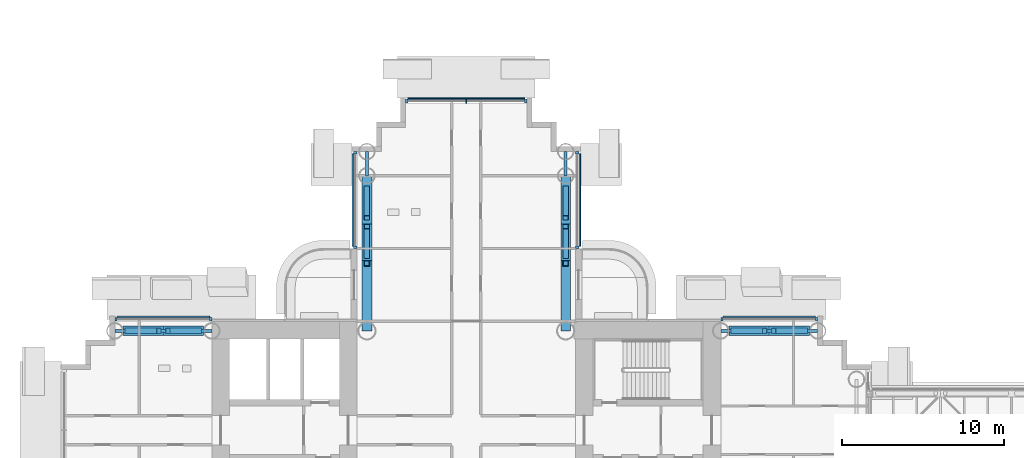
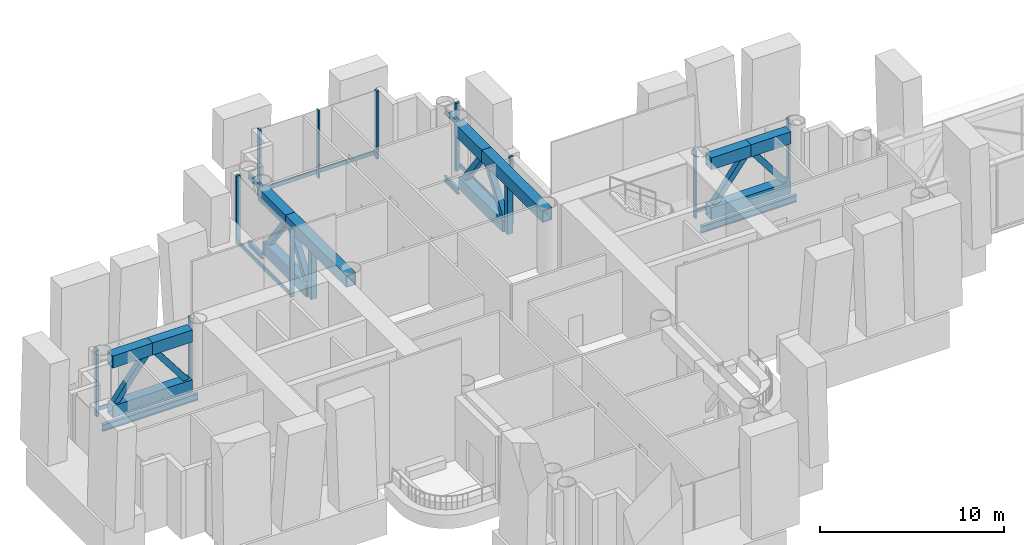
# One storey, part 5 of 27: 34 members, 10 beams, 5 elements without a shape of their own.
"""IFC4 building model written with IfcOpenShell, lengths in metres."""

from ifc_helpers import new_model, si_unit, direction, frame, origin, origin_2d, place, context, subcontext, project, spatial, rectangle, hollow_rectangle, i_section, extrude, material, layer, layer_set, material_profile, profile_set, type_object, element, aggregate, save


model = new_model("IFC4")

# Units and contexts
model_context = context("Model", 3, precision=1e-05, world=origin(), true_north=direction((0.0, 1.0)))
body_context = subcontext(model_context, "Body", "Model", "MODEL_VIEW")
ifc_project = project(units=[si_unit("LENGTHUNIT", "METRE"), si_unit("AREAUNIT", "SQUARE_METRE"), si_unit("VOLUMEUNIT", "CUBIC_METRE"), si_unit("PLANEANGLEUNIT", "RADIAN"), si_unit("MASSUNIT", "GRAM", prefix="KILO")], contexts=[model_context])

# Site, building, storey
site_placement = place(None, origin())
site = spatial("IfcSite", under=ifc_project, at=site_placement, CompositionType="ELEMENT")
building_placement = place(site_placement, origin())
building = spatial("IfcBuilding", under=site, at=building_placement, Name="Ipe Terrace Towers", CompositionType="ELEMENT")
storey_placement = place(building_placement, frame((0.0, 0.0, 72.10009765625)))
storey = spatial("IfcBuildingStorey", under=building, at=storey_placement, Name="L19", CompositionType="ELEMENT", Elevation=72.10009765625)

# Beams
ifc_material_1 = material(Name="Steel S355", Category="steel")
ifc_material_profile_1 = material_profile(ifc_material_1, i_section(OverallWidth=0.175048828125, OverallDepth=0.35009765625, WebThickness=0.007080078125, FlangeThickness=0.010986328125, at=origin_2d()), Name="H-350x175x7x11")
ifc_profile_set_1 = profile_set([ifc_material_profile_1], Name="Steel S355")
beam_type_1 = type_object("IfcBeamType", Name="H04 DECK EDGE BEAM H-350x175x7x11", PredefinedType="BEAM", material=ifc_profile_set_1)
for number, where, z_axis, x_axis, name in (
    (1, (-29.85009765625, 15.75, 3.90478515625), (0.0, 1.0, 0.0), (-1.0, 0.0, 0.0), "Deck edge beam T1-TB-B03-B05"),
    (2, (-42.14990234375, 15.75, 3.90478515625), (0.0, 1.0, 0.0), (-1.0, 0.0, 0.0), "Deck edge beam T1-TB-B04-B06"),
):
    element("IfcBeam", number, at=place(storey_placement, frame(where, z_axis=z_axis, x_axis=x_axis)), inside=storey, type_object=beam_type_1, Name=name, PredefinedType="BEAM", context=body_context, shape_type="SweptSolid", body=[
        extrude(i_section(OverallWidth=0.175048828125, OverallDepth=0.35009765625, WebThickness=0.007080078125, FlangeThickness=0.010986328125, at=origin_2d()), origin(), (0.0, 0.0, 1.0), 1.5),
    ])
ifc_material_2 = material(Name="Steel S355", Category="steel")
ifc_material_profile_2 = material_profile(ifc_material_2, i_section(OverallWidth=0.175048828125, OverallDepth=0.35009765625, WebThickness=0.007080078125, FlangeThickness=0.010986328125, at=origin_2d()), Name="H-350x175x7x11")
ifc_profile_set_2 = profile_set([ifc_material_profile_2], Name="Steel S355")
beam_type_2 = type_object("IfcBeamType", Name="H04 EDGE BEAM H-350x175x7x11", PredefinedType="BEAM", material=ifc_profile_set_2)
for number, where, z_axis, x_axis, name in (
    (3, (-29.85009765625, 15.75, -0.5751953125), (0.0, 1.0, 0.0), (-1.0, 0.0, 0.0), "Edge beam T1-EB-B03-B05"),
    (4, (-42.14990234375, 15.75, -0.5751953125), (0.0, 1.0, 0.0), (-1.0, 0.0, 0.0), "Edge beam T1-EB-B04-B06"),
):
    element("IfcBeam", number, at=place(storey_placement, frame(where, z_axis=z_axis, x_axis=x_axis)), inside=storey, type_object=beam_type_2, Name=name, PredefinedType="BEAM", context=body_context, shape_type="SweptSolid", body=[
        extrude(i_section(OverallWidth=0.175048828125, OverallDepth=0.35009765625, WebThickness=0.007080078125, FlangeThickness=0.010986328125, at=origin_2d()), origin(), (0.0, 0.0, 1.0), 1.5),
    ])
ifc_material_3 = material(Name="Steel S355", Category="steel")
ifc_material_profile_3 = material_profile(ifc_material_3, i_section(OverallWidth=0.199951171875, OverallDepth=0.449951171875, WebThickness=0.009033203125, FlangeThickness=0.013916015625, at=origin_2d()), Name="H-450x200x9x14")
ifc_profile_set_3 = profile_set([ifc_material_profile_3], Name="Steel S355")
beam_type_3 = type_object("IfcBeamType", Name="H08 EDGE BEAM H-450x200x9x14", PredefinedType="BEAM", material=ifc_profile_set_3)
for number, where, z_axis, x_axis, name in (
    (5, (-20.25, 6.14990234375, -0.625), (1.0, 0.0, 0.0), (0.0, 1.0, 0.0), "Edge beam T1-EB-A02-A04"),
    (6, (-51.75, 6.14990234375, -0.625), (-1.0, 0.0, 0.0), (0.0, -1.0, 0.0), "Edge beam T1-EB-C02-C04"),
):
    element("IfcBeam", number, at=place(storey_placement, frame(where, z_axis=z_axis, x_axis=x_axis)), inside=storey, type_object=beam_type_3, Name=name, PredefinedType="BEAM", context=body_context, shape_type="SweptSolid", body=[
        extrude(i_section(OverallWidth=0.199951171875, OverallDepth=0.449951171875, WebThickness=0.009033203125, FlangeThickness=0.013916015625, at=origin_2d()), origin(), (0.0, 0.0, 1.0), 6.0),
    ])

# Members
ifc_material_4 = material(Name="Steel S355", Category="steel")
ifc_material_profile_4 = material_profile(ifc_material_4, hollow_rectangle(XDim=0.35009765625, YDim=0.35009765625, WallThickness=0.02001953125, at=origin_2d()), Name="OUTRIGGER-BRACE BOX 350x350x20")
ifc_profile_set_4 = profile_set([ifc_material_profile_4], Name="Steel S355")
member_type_1 = type_object("IfcMemberType", Name="OUTRIGGER-BRACE BOX 350x350x20", PredefinedType="BRACE", material=ifc_profile_set_4)
for number, where, z_axis, x_axis, name in (
    (7, (-19.471923828125, 6.14990234375, 0.77978515625), (0.60773905456, 0.0, 0.794136790209), (0.0, 1.0, 0.0), "T1-OR-L19-062 diagonal"),
    (8, (-15.028076171875, 6.14990234375, 0.77978515625), (-0.60773905456, 0.0, 0.794136790209), (0.0, -1.0, 0.0), "T1-OR-L19-063 diagonal"),
    (9, (-52.528076171875, 6.14990234375, 0.77978515625), (-0.60773905456, 0.0, 0.794136790209), (0.0, -1.0, 0.0), "T1-OR-L19-077 diagonal"),
    (10, (-56.971923828125, 6.14990234375, 0.77978515625), (0.60773905456, 0.0, 0.794136790209), (0.0, 1.0, 0.0), "T1-OR-L19-078 diagonal"),
):
    element("IfcMember", number, at=place(storey_placement, frame(where, z_axis=z_axis, x_axis=x_axis)), inside=storey, type_object=member_type_1, Name=name, PredefinedType="BRACE", context=body_context, shape_type="SweptSolid", body=[
        extrude(hollow_rectangle(XDim=0.35009765625, YDim=0.35009765625, WallThickness=0.02001953125, at=origin_2d()), origin(), (0.0, 0.0, 1.0), 3.198486328125),
    ])
for number, where, z_axis, x_axis, name in (
    (11, (-42.14990234375, 10.77294921875, 0.77978515625), (0.0, 0.58436225727, 0.811492915729), (-1.0, 0.0, 0.0), "T1-OR-L19-082 diagonal"),
    (12, (-42.14990234375, 14.97705078125, 0.77978515625), (0.0, -0.58436225727, 0.811492915729), (1.0, 0.0, 0.0), "T1-OR-L19-083 diagonal"),
    (13, (-29.85009765625, 10.77294921875, 0.77978515625), (0.0, 0.58436225727, 0.811492915729), (-1.0, 0.0, 0.0), "T1-OR-L19-086 diagonal"),
    (14, (-29.85009765625, 14.97705078125, 0.77978515625), (0.0, -0.58436225727, 0.811492915729), (1.0, 0.0, 0.0), "T1-OR-L19-087 diagonal"),
):
    element("IfcMember", number, at=place(storey_placement, frame(where, z_axis=z_axis, x_axis=x_axis)), inside=storey, type_object=member_type_1, Name=name, PredefinedType="BRACE", context=body_context, shape_type="SweptSolid", body=[
        extrude(hollow_rectangle(XDim=0.35009765625, YDim=0.35009765625, WallThickness=0.02001953125, at=origin_2d()), origin(), (0.0, 0.0, 1.0), 3.130126953125),
    ])
ifc_material_5 = material(Name="Steel S355", Category="steel")
ifc_material_profile_5 = material_profile(ifc_material_5, hollow_rectangle(XDim=0.60009765625, YDim=0.800048828125, WallThickness=0.0400390625, at=origin_2d()), Name="OUTRIGGER-CHORD BOX 600x800x40")
ifc_profile_set_5 = profile_set([ifc_material_profile_5], Name="Steel S355")
member_type_2 = type_object("IfcMemberType", Name="OUTRIGGER-CHORD BOX 600x800x40", PredefinedType="CHORD", material=ifc_profile_set_5)
member_1_placement = place(storey_placement, frame((-19.75, 6.14990234375, 0.39990234375), z_axis=(1.0, 0.0, 0.0), x_axis=(0.0, 1.0, 0.0)))
element("IfcMember", 15, at=member_1_placement, inside=storey, type_object=member_type_2, Name="T1-OR-L19-061 bottom chord", PredefinedType="CHORD", context=body_context, shape_type="SweptSolid", body=[
    extrude(hollow_rectangle(XDim=0.60009765625, YDim=0.800048828125, WallThickness=0.0400390625, at=origin_2d()), origin(), (0.0, 0.0, 1.0), 5.0),
])
for number, where, z_axis, x_axis, name in (
    (16, (-19.75, 6.14990234375, 3.699951171875), (1.0, 0.0, 0.0), (0.0, 1.0, 0.0), "T1-OR-L19-064 top chord"),
    (17, (-17.25, 6.14990234375, 3.699951171875), (1.0, 0.0, 0.0), (0.0, 1.0, 0.0), "T1-OR-L19-065 top chord"),
):
    element("IfcMember", number, at=place(storey_placement, frame(where, z_axis=z_axis, x_axis=x_axis)), inside=storey, type_object=member_type_2, Name=name, PredefinedType="CHORD", context=body_context, shape_type="SweptSolid", body=[
        extrude(hollow_rectangle(XDim=0.60009765625, YDim=0.800048828125, WallThickness=0.0400390625, at=origin_2d()), origin(), (0.0, 0.0, 1.0), 2.5),
    ])
member_2_placement = place(storey_placement, frame((-52.25, 6.14990234375, 0.39990234375), z_axis=(-1.0, 0.0, 0.0), x_axis=(0.0, -1.0, 0.0)))
element("IfcMember", 18, at=member_2_placement, inside=storey, type_object=member_type_2, Name="T1-OR-L19-076 bottom chord", PredefinedType="CHORD", context=body_context, shape_type="SweptSolid", body=[
    extrude(hollow_rectangle(XDim=0.60009765625, YDim=0.800048828125, WallThickness=0.0400390625, at=origin_2d()), origin(), (0.0, 0.0, 1.0), 5.0),
])
for number, where, z_axis, x_axis, name in (
    (19, (-52.25, 6.14990234375, 3.699951171875), (-1.0, 0.0, 0.0), (0.0, -1.0, 0.0), "T1-OR-L19-079 top chord"),
    (20, (-54.75, 6.14990234375, 3.699951171875), (-1.0, 0.0, 0.0), (0.0, -1.0, 0.0), "T1-OR-L19-080 top chord"),
):
    element("IfcMember", number, at=place(storey_placement, frame(where, z_axis=z_axis, x_axis=x_axis)), inside=storey, type_object=member_type_2, Name=name, PredefinedType="CHORD", context=body_context, shape_type="SweptSolid", body=[
        extrude(hollow_rectangle(XDim=0.60009765625, YDim=0.800048828125, WallThickness=0.0400390625, at=origin_2d()), origin(), (0.0, 0.0, 1.0), 2.5),
    ])
for number, where, z_axis, x_axis, name in (
    (21, (-42.14990234375, 10.5, 0.39990234375), (0.0, 1.0, 0.0), (-1.0, 0.0, 0.0), "T1-OR-L19-081 bottom chord"),
    (22, (-29.85009765625, 10.5, 0.39990234375), (0.0, 1.0, 0.0), (-1.0, 0.0, 0.0), "T1-OR-L19-085 bottom chord"),
):
    element("IfcMember", number, at=place(storey_placement, frame(where, z_axis=z_axis, x_axis=x_axis)), inside=storey, type_object=member_type_2, Name=name, PredefinedType="CHORD", context=body_context, shape_type="SweptSolid", body=[
        extrude(hollow_rectangle(XDim=0.60009765625, YDim=0.800048828125, WallThickness=0.0400390625, at=origin_2d()), origin(), (0.0, 0.0, 1.0), 4.75),
    ])
ifc_material_6 = material(Name="Steel S355", Category="steel")
ifc_material_profile_6 = material_profile(ifc_material_6, hollow_rectangle(XDim=0.35009765625, YDim=0.35009765625, WallThickness=0.02001953125, at=origin_2d()), Name="OUTRIGGER-POST BOX 350x350x20")
ifc_profile_set_6 = profile_set([ifc_material_profile_6], Name="Steel S355")
member_type_3 = type_object("IfcMemberType", Name="OUTRIGGER-POST BOX 350x350x20", PredefinedType="POST", material=ifc_profile_set_6)
for number, where, z_axis, x_axis, name in (
    (23, (-42.14990234375, 10.324951171875, 0.0), (0.0, 0.0, 1.0), (1.0, 0.0, 0.0), "T1-OR-L19-084 post"),
    (24, (-29.85009765625, 10.324951171875, 0.0), (0.0, 0.0, 1.0), (1.0, 0.0, 0.0), "T1-OR-L19-088 post"),
):
    element("IfcMember", number, at=place(storey_placement, frame(where, z_axis=z_axis, x_axis=x_axis)), inside=storey, type_object=member_type_3, Name=name, PredefinedType="POST", context=body_context, shape_type="SweptSolid", body=[
        extrude(hollow_rectangle(XDim=0.35009765625, YDim=0.35009765625, WallThickness=0.02001953125, at=origin_2d()), origin(), (0.0, 0.0, 1.0), 3.2998046875),
    ])

# Curtain wall, members
ifc_material_7 = material(Name="Aluminium alloy 6063-T6", Category="aluminium")
ifc_layer = layer(ifc_material_7, 0.320068359375)
ifc_layer_set = layer_set([ifc_layer], Name="REFUGE FLOOR CURTAIN WALL")
curtain_wall_type = type_object("IfcCurtainWallType", Name="REFUGE FLOOR CURTAIN WALL", PredefinedType="NOTDEFINED", material=ifc_layer_set)
curtain_wall_1_placement = place(storey_placement, origin())
curtain_wall_1 = element("IfcCurtainWall", 25, at=curtain_wall_1_placement, inside=storey, type_object=curtain_wall_type, Name="T1-CW-L19-30a curtain wall", PredefinedType="NOTDEFINED")
ifc_material_8 = material(Name="Aluminium alloy 6063-T6", Category="aluminium")
ifc_material_profile_7 = material_profile(ifc_material_8, rectangle(XDim=0.239990234375, YDim=0.139892578125, at=origin_2d()), Name="REFUGE FLOOR CORNER MULLION 240 x 140")
ifc_profile_set_7 = profile_set([ifc_material_profile_7], Name="Aluminium alloy 6063-T6")
member_type_4 = type_object("IfcMemberType", Name="REFUGE FLOOR CORNER MULLION 240 x 140", PredefinedType="MULLION", material=ifc_profile_set_7)
member_3_placement = place(storey_placement, frame((-14.320068359375, 6.8701171875, -0.300048828125), z_axis=(0.0, 0.0, 1.0), x_axis=(0.0, 1.0, 0.0)))
member_3 = element("IfcMember", 26, at=member_3_placement, type_object=member_type_4, Name="T1-CW-L19-30a mullion 1", PredefinedType="MULLION", context=body_context, shape_type="SweptSolid", body=[
    extrude(rectangle(XDim=0.239990234375, YDim=0.139892578125, at=origin_2d()), origin(), (0.0, 0.0, 1.0), 4.5),
])
member_4_placement = place(storey_placement, frame((-20.178955078125, 6.8701171875, -0.300048828125), z_axis=(0.0, 0.0, 1.0), x_axis=(0.0, 1.0, 0.0)))
member_4 = element("IfcMember", 27, at=member_4_placement, type_object=member_type_4, Name="T1-CW-L19-30a mullion 2", PredefinedType="MULLION", context=body_context, shape_type="SweptSolid", body=[
    extrude(rectangle(XDim=0.239990234375, YDim=0.139892578125, at=origin_2d()), origin(), (0.0, 0.0, 1.0), 4.5),
])

curtain_wall_2_placement = place(storey_placement, origin())
curtain_wall_2 = element("IfcCurtainWall", 28, at=curtain_wall_2_placement, inside=storey, type_object=curtain_wall_type, Name="T1-CW-L19-33a curtain wall", PredefinedType="NOTDEFINED")
member_5_placement = place(storey_placement, frame((-29.1298828125, 11.320068359375, -0.300048828125), z_axis=(0.0, 0.0, 1.0), x_axis=(1.0, 0.0, 0.0)))
member_5 = element("IfcMember", 29, at=member_5_placement, type_object=member_type_4, Name="T1-CW-L19-33a mullion 1", PredefinedType="MULLION", context=body_context, shape_type="SweptSolid", body=[
    extrude(rectangle(XDim=0.239990234375, YDim=0.139892578125, at=origin_2d()), origin(), (0.0, 0.0, 1.0), 4.5),
])
member_6_placement = place(storey_placement, frame((-29.1298828125, 17.179931640625, -0.300048828125), z_axis=(0.0, 0.0, 1.0), x_axis=(1.0, 0.0, 0.0)))
member_6 = element("IfcMember", 30, at=member_6_placement, type_object=member_type_4, Name="T1-CW-L19-33a mullion 2", PredefinedType="MULLION", context=body_context, shape_type="SweptSolid", body=[
    extrude(rectangle(XDim=0.239990234375, YDim=0.139892578125, at=origin_2d()), origin(), (0.0, 0.0, 1.0), 4.5),
])

curtain_wall_3_placement = place(storey_placement, origin())
curtain_wall_3 = element("IfcCurtainWall", 31, at=curtain_wall_3_placement, inside=storey, type_object=curtain_wall_type, Name="T1-CW-L19-38a curtain wall", PredefinedType="NOTDEFINED")
member_7_placement = place(storey_placement, frame((-32.320068359375, 20.3701171875, -0.300048828125), z_axis=(0.0, 0.0, 1.0), x_axis=(0.0, 1.0, 0.0)))
member_7 = element("IfcMember", 32, at=member_7_placement, type_object=member_type_4, Name="T1-CW-L19-38a mullion 1", PredefinedType="MULLION", context=body_context, shape_type="SweptSolid", body=[
    extrude(rectangle(XDim=0.239990234375, YDim=0.139892578125, at=origin_2d()), origin(), (0.0, 0.0, 1.0), 4.5),
])
member_8_placement = place(storey_placement, frame((-39.679931640625, 20.3701171875, -0.300048828125), z_axis=(0.0, 0.0, 1.0), x_axis=(0.0, 1.0, 0.0)))
member_8 = element("IfcMember", 33, at=member_8_placement, type_object=member_type_4, Name="T1-CW-L19-38a mullion 3", PredefinedType="MULLION", context=body_context, shape_type="SweptSolid", body=[
    extrude(rectangle(XDim=0.239990234375, YDim=0.139892578125, at=origin_2d()), origin(), (0.0, 0.0, 1.0), 4.5),
])

curtain_wall_4_placement = place(storey_placement, origin())
curtain_wall_4 = element("IfcCurtainWall", 34, at=curtain_wall_4_placement, inside=storey, type_object=curtain_wall_type, Name="T1-CW-L19-43a curtain wall", PredefinedType="NOTDEFINED")
member_9_placement = place(storey_placement, frame((-42.8701171875, 17.179931640625, -0.300048828125), z_axis=(0.0, 0.0, 1.0), x_axis=(-1.0, 0.0, 0.0)))
member_9 = element("IfcMember", 35, at=member_9_placement, type_object=member_type_4, Name="T1-CW-L19-43a mullion 1", PredefinedType="MULLION", context=body_context, shape_type="SweptSolid", body=[
    extrude(rectangle(XDim=0.239990234375, YDim=0.139892578125, at=origin_2d()), origin(), (0.0, 0.0, 1.0), 4.5),
])
member_10_placement = place(storey_placement, frame((-42.8701171875, 11.320068359375, -0.300048828125), z_axis=(0.0, 0.0, 1.0), x_axis=(-1.0, 0.0, 0.0)))
member_10 = element("IfcMember", 36, at=member_10_placement, type_object=member_type_4, Name="T1-CW-L19-43a mullion 2", PredefinedType="MULLION", context=body_context, shape_type="SweptSolid", body=[
    extrude(rectangle(XDim=0.239990234375, YDim=0.139892578125, at=origin_2d()), origin(), (0.0, 0.0, 1.0), 4.5),
])

curtain_wall_5_placement = place(storey_placement, origin())
curtain_wall_5 = element("IfcCurtainWall", 37, at=curtain_wall_5_placement, inside=storey, type_object=curtain_wall_type, Name="T1-CW-L19-46b curtain wall", PredefinedType="NOTDEFINED")
member_11_placement = place(storey_placement, frame((-51.821044921875, 6.8701171875, -0.300048828125), z_axis=(0.0, 0.0, 1.0), x_axis=(0.0, 1.0, 0.0)))
member_11 = element("IfcMember", 38, at=member_11_placement, type_object=member_type_4, Name="T1-CW-L19-46b mullion 1", PredefinedType="MULLION", context=body_context, shape_type="SweptSolid", body=[
    extrude(rectangle(XDim=0.239990234375, YDim=0.139892578125, at=origin_2d()), origin(), (0.0, 0.0, 1.0), 4.5),
])
member_12_placement = place(storey_placement, frame((-57.679931640625, 6.8701171875, -0.300048828125), z_axis=(0.0, 0.0, 1.0), x_axis=(0.0, 1.0, 0.0)))
member_12 = element("IfcMember", 39, at=member_12_placement, type_object=member_type_4, Name="T1-CW-L19-46b mullion 2", PredefinedType="MULLION", context=body_context, shape_type="SweptSolid", body=[
    extrude(rectangle(XDim=0.239990234375, YDim=0.139892578125, at=origin_2d()), origin(), (0.0, 0.0, 1.0), 4.5),
])

# Member
ifc_material_9 = material(Name="Aluminium alloy 6063-T6", Category="aluminium")
ifc_material_profile_8 = material_profile(ifc_material_9, rectangle(XDim=0.239990234375, YDim=0.074951171875, at=origin_2d()), Name="REFUGE FLOOR MULLION 240 x 75")
ifc_profile_set_8 = profile_set([ifc_material_profile_8], Name="Aluminium alloy 6063-T6")
member_type_5 = type_object("IfcMemberType", Name="REFUGE FLOOR MULLION 240 x 75", PredefinedType="MULLION", material=ifc_profile_set_8)
member_13_placement = place(storey_placement, frame((-36.0, 20.3701171875, -0.300048828125), z_axis=(0.0, 0.0, 1.0), x_axis=(0.0, 1.0, 0.0)))
member_13 = element("IfcMember", 40, at=member_13_placement, type_object=member_type_5, Name="T1-CW-L19-38a mullion 2", PredefinedType="MULLION", context=body_context, shape_type="SweptSolid", body=[
    extrude(rectangle(XDim=0.239990234375, YDim=0.074951171875, at=origin_2d()), origin(), (0.0, 0.0, 1.0), 4.5),
])

ifc_material_10 = material(Name="Aluminium alloy 6063-T6", Category="aluminium")
ifc_material_profile_9 = material_profile(ifc_material_10, rectangle(XDim=0.080078125, YDim=0.260009765625, at=origin_2d()), Name="REFUGE FLOOR TRANSOM 80 x 260")
ifc_profile_set_9 = profile_set([ifc_material_profile_9], Name="Aluminium alloy 6063-T6")
member_type_6 = type_object("IfcMemberType", Name="REFUGE FLOOR TRANSOM 80 x 260", PredefinedType="USERDEFINED", material=ifc_profile_set_9)
member_14_placement = place(storey_placement, frame((-14.389892578125, 7.030029296875, 0.0), z_axis=(-1.0, 0.0, 0.0), x_axis=(0.0, 1.0, 0.0)))
member_14 = element("IfcMember", 41, at=member_14_placement, type_object=member_type_6, Name="T1-CW-L19-30a transom", ObjectType="TRANSOM", PredefinedType="USERDEFINED", context=body_context, shape_type="SweptSolid", body=[
    extrude(rectangle(XDim=0.080078125, YDim=0.260009765625, at=origin_2d()), origin(), (0.0, 0.0, 1.0), 5.718994140625),
])

aggregate(curtain_wall_1, [member_3, member_4, member_14])

member_15_placement = place(storey_placement, frame((-28.969970703125, 11.389892578125, 0.0), z_axis=(0.0, 1.0, 0.0), x_axis=(1.0, 0.0, 0.0)))
member_15 = element("IfcMember", 42, at=member_15_placement, type_object=member_type_6, Name="T1-CW-L19-33a transom", ObjectType="TRANSOM", PredefinedType="USERDEFINED", context=body_context, shape_type="SweptSolid", body=[
    extrude(rectangle(XDim=0.080078125, YDim=0.260009765625, at=origin_2d()), origin(), (0.0, 0.0, 1.0), 5.72021484375),
])

aggregate(curtain_wall_2, [member_5, member_6, member_15])

member_16_placement = place(storey_placement, frame((-32.389892578125, 20.530029296875, 0.0), z_axis=(-1.0, 0.0, 0.0), x_axis=(0.0, 1.0, 0.0)))
member_16 = element("IfcMember", 43, at=member_16_placement, type_object=member_type_6, Name="T1-CW-L19-38a transom", ObjectType="TRANSOM", PredefinedType="USERDEFINED", context=body_context, shape_type="SweptSolid", body=[
    extrude(rectangle(XDim=0.080078125, YDim=0.260009765625, at=origin_2d()), origin(), (0.0, 0.0, 1.0), 7.22021484375),
])

aggregate(curtain_wall_3, [member_7, member_13, member_8, member_16])

member_17_placement = place(storey_placement, frame((-43.030029296875, 17.110107421875, 0.0), z_axis=(0.0, -1.0, 0.0), x_axis=(-1.0, 0.0, 0.0)))
member_17 = element("IfcMember", 44, at=member_17_placement, type_object=member_type_6, Name="T1-CW-L19-43a transom", ObjectType="TRANSOM", PredefinedType="USERDEFINED", context=body_context, shape_type="SweptSolid", body=[
    extrude(rectangle(XDim=0.080078125, YDim=0.260009765625, at=origin_2d()), origin(), (0.0, 0.0, 1.0), 5.72021484375),
])

aggregate(curtain_wall_4, [member_9, member_10, member_17])

member_18_placement = place(storey_placement, frame((-51.89111328125, 7.030029296875, 0.0), z_axis=(-1.0, 0.0, 0.0), x_axis=(0.0, 1.0, 0.0)))
member_18 = element("IfcMember", 45, at=member_18_placement, type_object=member_type_6, Name="T1-CW-L19-46b transom", ObjectType="TRANSOM", PredefinedType="USERDEFINED", context=body_context, shape_type="SweptSolid", body=[
    extrude(rectangle(XDim=0.080078125, YDim=0.260009765625, at=origin_2d()), origin(), (0.0, 0.0, 1.0), 5.718994140625),
])

aggregate(curtain_wall_5, [member_11, member_12, member_18])

# Beams
ifc_material_11 = material(Name="Steel S355", Category="steel")
ifc_material_profile_10 = material_profile(ifc_material_11, hollow_rectangle(XDim=0.60009765625, YDim=0.800048828125, WallThickness=0.0400390625, at=origin_2d()), Name="BOX-800x600x40")
ifc_profile_set_10 = profile_set([ifc_material_profile_10], Name="Steel S355")
beam_type_4 = type_object("IfcBeamType", Name="TG1 TRANSFER GIRDER BOX-800x600x40", PredefinedType="BEAM", material=ifc_profile_set_10)
beam_1_placement = place(storey_placement, frame((-29.85009765625, 6.14990234375, 3.679931640625), z_axis=(0.0, 1.0, 0.0), x_axis=(-1.0, 0.0, 0.0)))
element("IfcBeam", 46, at=beam_1_placement, inside=storey, type_object=beam_type_4, Name="Transfer girder T1-TG-B01-E03", PredefinedType="BEAM", context=body_context, shape_type="SweptSolid", body=[
    extrude(hollow_rectangle(XDim=0.60009765625, YDim=0.800048828125, WallThickness=0.0400390625, at=origin_2d()), origin(), (0.0, 0.0, 1.0), 6.60009765625),
])
beam_2_placement = place(storey_placement, frame((-29.85009765625, 12.75, 3.679931640625), z_axis=(0.0, 1.0, 0.0), x_axis=(-1.0, 0.0, 0.0)))
element("IfcBeam", 47, at=beam_2_placement, inside=storey, type_object=beam_type_4, Name="Transfer girder T1-TG-B01-B03", PredefinedType="BEAM", context=body_context, shape_type="SweptSolid", body=[
    extrude(hollow_rectangle(XDim=0.60009765625, YDim=0.800048828125, WallThickness=0.0400390625, at=origin_2d()), origin(), (0.0, 0.0, 1.0), 3.0),
])
beam_3_placement = place(storey_placement, frame((-42.14990234375, 6.14990234375, 3.679931640625), z_axis=(0.0, 1.0, 0.0), x_axis=(-1.0, 0.0, 0.0)))
element("IfcBeam", 48, at=beam_3_placement, inside=storey, type_object=beam_type_4, Name="Transfer girder T1-TG-B02-E04", PredefinedType="BEAM", context=body_context, shape_type="SweptSolid", body=[
    extrude(hollow_rectangle(XDim=0.60009765625, YDim=0.800048828125, WallThickness=0.0400390625, at=origin_2d()), origin(), (0.0, 0.0, 1.0), 6.60009765625),
])
beam_4_placement = place(storey_placement, frame((-42.14990234375, 12.75, 3.679931640625), z_axis=(0.0, 1.0, 0.0), x_axis=(-1.0, 0.0, 0.0)))
element("IfcBeam", 49, at=beam_4_placement, inside=storey, type_object=beam_type_4, Name="Transfer girder T1-TG-B02-B04", PredefinedType="BEAM", context=body_context, shape_type="SweptSolid", body=[
    extrude(hollow_rectangle(XDim=0.60009765625, YDim=0.800048828125, WallThickness=0.0400390625, at=origin_2d()), origin(), (0.0, 0.0, 1.0), 3.0),
])

save(model, "model.ifc")
